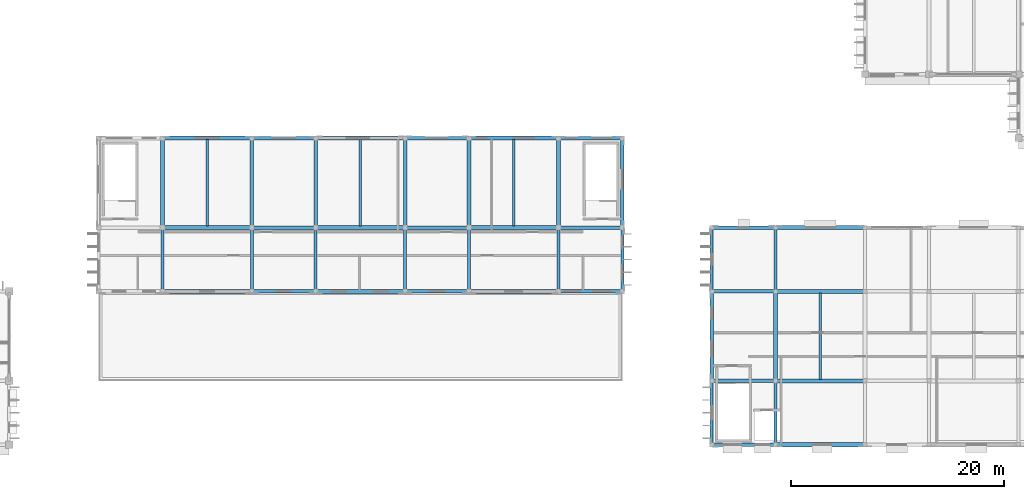
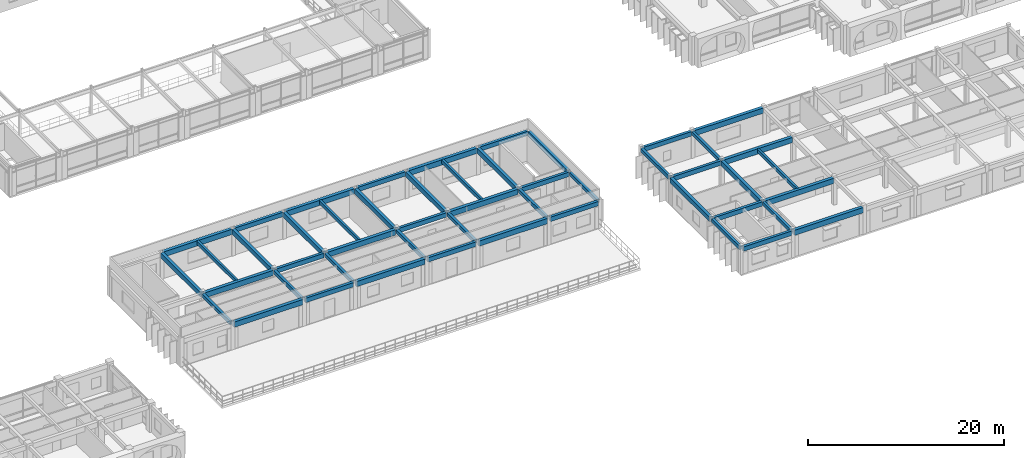
# One storey, part 19 of 88: 50 beams.
"""IFC4 building model written with IfcOpenShell, lengths in metres."""

from ifc_helpers import new_model, si_unit, direction, frame, origin, origin_2d, place, context, subcontext, project, spatial, rectangle, extrude, material, material_profile, profile_set, type_object, element, save


model = new_model("IFC4")

# Units and contexts
model_context = context("Model", 3, precision=1e-05, world=origin(), true_north=direction((0.0, 1.0)))
body_context = subcontext(model_context, "Body", "Model", "MODEL_VIEW")
ifc_project = project(units=[si_unit("LENGTHUNIT", "METRE"), si_unit("AREAUNIT", "SQUARE_METRE"), si_unit("VOLUMEUNIT", "CUBIC_METRE"), si_unit("PLANEANGLEUNIT", "RADIAN"), si_unit("MASSUNIT", "GRAM", prefix="KILO"), si_unit("THERMODYNAMICTEMPERATUREUNIT", "KELVIN")], contexts=[model_context])

# Site, building, storey
site_placement = place(None, origin())
site = spatial("IfcSite", under=ifc_project, at=site_placement, CompositionType="ELEMENT")
building_placement = place(site_placement, origin())
building = spatial("IfcBuilding", under=site, at=building_placement, Name="Thalorik Housing Commons", CompositionType="ELEMENT")
storey_placement = place(building_placement, frame((0.0, 0.0, 4.5)))
storey = spatial("IfcBuildingStorey", under=building, at=storey_placement, Name="L01", CompositionType="ELEMENT", Elevation=4.5)

# Beams
ifc_material = material(Name="Precast concrete C40/50", Category="concrete")
ifc_material_profile_1 = material_profile(ifc_material, rectangle(XDim=0.280029296875, YDim=0.449951171875, at=origin_2d()), Name="PC 280x450", Category="concrete")
ifc_profile_set_1 = profile_set([ifc_material_profile_1], Name="Precast concrete C40/50")
beam_type_1 = type_object("IfcBeamType", Name="STR-BM-PC280x450", PredefinedType="BEAM", material=ifc_profile_set_1)
for number, where, z_axis, x_axis, name in (
    (1, (72.0, 22.97509765625, 3.114990234375), (0.0, 1.0, 0.0), (-1.0, 0.0, 0.0), "L01 Beam B-450"),
    (2, (80.39990234375, 22.97509765625, 3.114990234375), (0.0, 1.0, 0.0), (-1.0, 0.0, 0.0), "L01 Beam B-450"),
    (3, (86.39990234375, 22.97509765625, 3.114990234375), (0.0, 1.0, 0.0), (-1.0, 0.0, 0.0), "L01 Beam B-450"),
    (4, (94.800048828125, 22.97509765625, 3.114990234375), (0.0, 1.0, 0.0), (-1.0, 0.0, 0.0), "L01 Beam B-450"),
    (5, (100.800048828125, 22.97509765625, 3.114990234375), (0.0, 1.0, 0.0), (-1.0, 0.0, 0.0), "L01 Beam B-450"),
    (6, (109.199951171875, 22.97509765625, 3.114990234375), (0.0, 1.0, 0.0), (-1.0, 0.0, 0.0), "L01 Beam B-450"),
    (7, (115.199951171875, 22.97509765625, 3.114990234375), (0.0, 1.0, 0.0), (-1.0, 0.0, 0.0), "L01 Beam B-450"),
):
    element("IfcBeam", number, at=place(storey_placement, frame(where, z_axis=z_axis, x_axis=x_axis)), inside=storey, type_object=beam_type_1, Name=name, PredefinedType="BEAM", context=body_context, shape_type="SweptSolid", body=[
        extrude(rectangle(XDim=0.280029296875, YDim=0.449951171875, at=origin_2d()), origin(), (0.0, 0.0, 1.0), 5.64990234375),
    ])
for number, where, z_axis, x_axis, name in (
    (8, (123.60009765625, 8.550048828125, 3.114990234375), (0.0, 1.0, 0.0), (-1.0, 0.0, 0.0), "L01 Beam B-450"),
    (9, (123.60009765625, 22.949951171875, 3.114990234375), (0.0, 1.0, 0.0), (-1.0, 0.0, 0.0), "L01 Beam B-450"),
    (10, (129.60009765625, 8.550048828125, 3.114990234375), (0.0, 1.0, 0.0), (-1.0, 0.0, 0.0), "L01 Beam B-450"),
    (11, (129.60009765625, 22.949951171875, 3.114990234375), (0.0, 1.0, 0.0), (-1.0, 0.0, 0.0), "L01 Beam B-450"),
):
    element("IfcBeam", number, at=place(storey_placement, frame(where, z_axis=z_axis, x_axis=x_axis)), inside=storey, type_object=beam_type_1, Name=name, PredefinedType="BEAM", context=body_context, shape_type="SweptSolid", body=[
        extrude(rectangle(XDim=0.280029296875, YDim=0.449951171875, at=origin_2d()), origin(), (0.0, 0.0, 1.0), 5.699951171875),
    ])
ifc_material_profile_2 = material_profile(ifc_material, rectangle(XDim=0.320068359375, YDim=0.550048828125, at=origin_2d()), Name="PC 320x550", Category="concrete")
ifc_profile_set_2 = profile_set([ifc_material_profile_2], Name="Precast concrete C40/50")
beam_type_2 = type_object("IfcBeamType", Name="STR-BM-PC320x550", PredefinedType="BEAM", material=ifc_profile_set_2)
for number, where, z_axis, x_axis, name in (
    (12, (123.75, 8.39990234375, 3.06494140625), (1.0, 0.0, 0.0), (0.0, 1.0, 0.0), "L01 Beam B-550"),
    (13, (123.75, 14.39990234375, 3.06494140625), (1.0, 0.0, 0.0), (0.0, 1.0, 0.0), "L01 Beam B-550"),
):
    element("IfcBeam", number, at=place(storey_placement, frame(where, z_axis=z_axis, x_axis=x_axis)), inside=storey, type_object=beam_type_2, Name=name, PredefinedType="BEAM", context=body_context, shape_type="SweptSolid", body=[
        extrude(rectangle(XDim=0.320068359375, YDim=0.550048828125, at=origin_2d()), origin(), (0.0, 0.0, 1.0), 5.699951171875),
    ])
beam_1_placement = place(storey_placement, frame((80.574951171875, 22.800048828125, 3.06494140625), z_axis=(1.0, 0.0, 0.0), x_axis=(0.0, 1.0, 0.0)))
element("IfcBeam", 14, at=beam_1_placement, inside=storey, type_object=beam_type_2, Name="L01 Beam B-550", PredefinedType="BEAM", context=body_context, shape_type="SweptSolid", body=[
    extrude(rectangle(XDim=0.320068359375, YDim=0.550048828125, at=origin_2d()), origin(), (0.0, 0.0, 1.0), 5.650146484375),
])
for number, where, z_axis, x_axis, name in (
    (15, (94.97509765625, 22.800048828125, 3.06494140625), (1.0, 0.0, 0.0), (0.0, 1.0, 0.0), "L01 Beam B-550"),
    (16, (109.375, 22.800048828125, 3.06494140625), (1.0, 0.0, 0.0), (0.0, 1.0, 0.0), "L01 Beam B-550"),
):
    element("IfcBeam", number, at=place(storey_placement, frame(where, z_axis=z_axis, x_axis=x_axis)), inside=storey, type_object=beam_type_2, Name=name, PredefinedType="BEAM", context=body_context, shape_type="SweptSolid", body=[
        extrude(rectangle(XDim=0.320068359375, YDim=0.550048828125, at=origin_2d()), origin(), (0.0, 0.0, 1.0), 5.64990234375),
    ])
beam_2_placement = place(storey_placement, frame((123.75, 22.800048828125, 3.06494140625), z_axis=(1.0, 0.0, 0.0), x_axis=(0.0, 1.0, 0.0)))
element("IfcBeam", 17, at=beam_2_placement, inside=storey, type_object=beam_type_2, Name="L01 Beam B-550", PredefinedType="BEAM", context=body_context, shape_type="SweptSolid", body=[
    extrude(rectangle(XDim=0.320068359375, YDim=0.550048828125, at=origin_2d()), origin(), (0.0, 0.0, 1.0), 5.699951171875),
])
beam_3_placement = place(storey_placement, frame((80.574951171875, 28.800048828125, 3.06494140625), z_axis=(1.0, 0.0, 0.0), x_axis=(0.0, 1.0, 0.0)))
element("IfcBeam", 18, at=beam_3_placement, inside=storey, type_object=beam_type_2, Name="L01 Beam B-550", PredefinedType="BEAM", context=body_context, shape_type="SweptSolid", body=[
    extrude(rectangle(XDim=0.320068359375, YDim=0.550048828125, at=origin_2d()), origin(), (0.0, 0.0, 1.0), 5.650146484375),
])
for number, where, z_axis, x_axis, name in (
    (19, (94.97509765625, 28.800048828125, 3.06494140625), (1.0, 0.0, 0.0), (0.0, 1.0, 0.0), "L01 Beam B-550"),
    (20, (109.375, 28.800048828125, 3.06494140625), (1.0, 0.0, 0.0), (0.0, 1.0, 0.0), "L01 Beam B-550"),
):
    element("IfcBeam", number, at=place(storey_placement, frame(where, z_axis=z_axis, x_axis=x_axis)), inside=storey, type_object=beam_type_2, Name=name, PredefinedType="BEAM", context=body_context, shape_type="SweptSolid", body=[
        extrude(rectangle(XDim=0.320068359375, YDim=0.550048828125, at=origin_2d()), origin(), (0.0, 0.0, 1.0), 5.64990234375),
    ])
beam_4_placement = place(storey_placement, frame((123.75, 28.800048828125, 3.06494140625), z_axis=(1.0, 0.0, 0.0), x_axis=(0.0, 1.0, 0.0)))
element("IfcBeam", 21, at=beam_4_placement, inside=storey, type_object=beam_type_2, Name="L01 Beam B-550", PredefinedType="BEAM", context=body_context, shape_type="SweptSolid", body=[
    extrude(rectangle(XDim=0.320068359375, YDim=0.550048828125, at=origin_2d()), origin(), (0.0, 0.0, 1.0), 5.699951171875),
])
beam_5_placement = place(storey_placement, frame((80.574951171875, 37.199951171875, 3.06494140625), z_axis=(1.0, 0.0, 0.0), x_axis=(0.0, 1.0, 0.0)))
element("IfcBeam", 22, at=beam_5_placement, inside=storey, type_object=beam_type_2, Name="L01 Beam B-550", PredefinedType="BEAM", context=body_context, shape_type="SweptSolid", body=[
    extrude(rectangle(XDim=0.320068359375, YDim=0.550048828125, at=origin_2d()), origin(), (0.0, 0.0, 1.0), 5.650146484375),
])
for number, where, z_axis, x_axis, name in (
    (23, (94.97509765625, 37.199951171875, 3.06494140625), (1.0, 0.0, 0.0), (0.0, 1.0, 0.0), "L01 Beam B-550"),
    (24, (109.375, 37.199951171875, 3.06494140625), (1.0, 0.0, 0.0), (0.0, 1.0, 0.0), "L01 Beam B-550"),
):
    element("IfcBeam", number, at=place(storey_placement, frame(where, z_axis=z_axis, x_axis=x_axis)), inside=storey, type_object=beam_type_2, Name=name, PredefinedType="BEAM", context=body_context, shape_type="SweptSolid", body=[
        extrude(rectangle(XDim=0.320068359375, YDim=0.550048828125, at=origin_2d()), origin(), (0.0, 0.0, 1.0), 5.64990234375),
    ])
ifc_material_profile_3 = material_profile(ifc_material, rectangle(XDim=0.35009765625, YDim=0.60009765625, at=origin_2d()), Name="PC 350x600", Category="concrete")
ifc_profile_set_3 = profile_set([ifc_material_profile_3], Name="Precast concrete C40/50")
beam_type_3 = type_object("IfcBeamType", Name="STR-BM-PC350x600", PredefinedType="BEAM", material=ifc_profile_set_3)
for number, where, z_axis, x_axis, name in (
    (25, (72.0, 28.97509765625, 3.0400390625), (0.0, 1.0, 0.0), (-1.0, 0.0, 0.0), "L01 Beam B-600"),
    (26, (80.39990234375, 28.97509765625, 3.0400390625), (0.0, 1.0, 0.0), (-1.0, 0.0, 0.0), "L01 Beam B-600"),
    (27, (86.39990234375, 28.97509765625, 3.0400390625), (0.0, 1.0, 0.0), (-1.0, 0.0, 0.0), "L01 Beam B-600"),
    (28, (94.800048828125, 28.97509765625, 3.0400390625), (0.0, 1.0, 0.0), (-1.0, 0.0, 0.0), "L01 Beam B-600"),
    (29, (100.800048828125, 28.97509765625, 3.0400390625), (0.0, 1.0, 0.0), (-1.0, 0.0, 0.0), "L01 Beam B-600"),
    (30, (109.199951171875, 28.97509765625, 3.0400390625), (0.0, 1.0, 0.0), (-1.0, 0.0, 0.0), "L01 Beam B-600"),
    (31, (115.199951171875, 28.97509765625, 3.0400390625), (0.0, 1.0, 0.0), (-1.0, 0.0, 0.0), "L01 Beam B-600"),
):
    element("IfcBeam", number, at=place(storey_placement, frame(where, z_axis=z_axis, x_axis=x_axis)), inside=storey, type_object=beam_type_3, Name=name, PredefinedType="BEAM", context=body_context, shape_type="SweptSolid", body=[
        extrude(rectangle(XDim=0.35009765625, YDim=0.60009765625, at=origin_2d()), origin(), (0.0, 0.0, 1.0), 8.0498046875),
    ])
for number, where, z_axis, x_axis, name in (
    (32, (123.60009765625, 14.550048828125, 3.0400390625), (0.0, 1.0, 0.0), (-1.0, 0.0, 0.0), "L01 Beam B-600"),
    (33, (129.60009765625, 14.550048828125, 3.0400390625), (0.0, 1.0, 0.0), (-1.0, 0.0, 0.0), "L01 Beam B-600"),
):
    element("IfcBeam", number, at=place(storey_placement, frame(where, z_axis=z_axis, x_axis=x_axis)), inside=storey, type_object=beam_type_3, Name=name, PredefinedType="BEAM", context=body_context, shape_type="SweptSolid", body=[
        extrude(rectangle(XDim=0.35009765625, YDim=0.60009765625, at=origin_2d()), origin(), (0.0, 0.0, 1.0), 8.099853515625),
    ])
ifc_material_profile_4 = material_profile(ifc_material, rectangle(XDim=0.3798828125, YDim=0.64990234375, at=origin_2d()), Name="PC 380x650", Category="concrete")
ifc_profile_set_4 = profile_set([ifc_material_profile_4], Name="Precast concrete C40/50")
beam_type_4 = type_object("IfcBeamType", Name="STR-BM-PC380x650", PredefinedType="BEAM", material=ifc_profile_set_4)
for number, where, z_axis, x_axis, name in (
    (34, (129.75, 8.39990234375, 3.014892578125), (1.0, 0.0, 0.0), (0.0, 1.0, 0.0), "L01 Beam B-650"),
    (35, (129.75, 14.39990234375, 3.014892578125), (1.0, 0.0, 0.0), (0.0, 1.0, 0.0), "L01 Beam B-650"),
):
    element("IfcBeam", number, at=place(storey_placement, frame(where, z_axis=z_axis, x_axis=x_axis)), inside=storey, type_object=beam_type_4, Name=name, PredefinedType="BEAM", context=body_context, shape_type="SweptSolid", body=[
        extrude(rectangle(XDim=0.3798828125, YDim=0.64990234375, at=origin_2d()), origin(), (0.0, 0.0, 1.0), 8.10009765625),
    ])
for number, where, z_axis, x_axis, name in (
    (36, (72.175048828125, 22.800048828125, 3.014892578125), (1.0, 0.0, 0.0), (0.0, 1.0, 0.0), "L01 Beam B-650"),
    (37, (86.574951171875, 22.800048828125, 3.014892578125), (1.0, 0.0, 0.0), (0.0, 1.0, 0.0), "L01 Beam B-650"),
):
    element("IfcBeam", number, at=place(storey_placement, frame(where, z_axis=z_axis, x_axis=x_axis)), inside=storey, type_object=beam_type_4, Name=name, PredefinedType="BEAM", context=body_context, shape_type="SweptSolid", body=[
        extrude(rectangle(XDim=0.3798828125, YDim=0.64990234375, at=origin_2d()), origin(), (0.0, 0.0, 1.0), 8.050048828125),
    ])
beam_6_placement = place(storey_placement, frame((100.97509765625, 22.800048828125, 3.014892578125), z_axis=(1.0, 0.0, 0.0), x_axis=(0.0, 1.0, 0.0)))
element("IfcBeam", 38, at=beam_6_placement, inside=storey, type_object=beam_type_4, Name="L01 Beam B-650", PredefinedType="BEAM", context=body_context, shape_type="SweptSolid", body=[
    extrude(rectangle(XDim=0.3798828125, YDim=0.64990234375, at=origin_2d()), origin(), (0.0, 0.0, 1.0), 8.0498046875),
])
beam_7_placement = place(storey_placement, frame((129.75, 22.800048828125, 3.014892578125), z_axis=(1.0, 0.0, 0.0), x_axis=(0.0, 1.0, 0.0)))
element("IfcBeam", 39, at=beam_7_placement, inside=storey, type_object=beam_type_4, Name="L01 Beam B-650", PredefinedType="BEAM", context=body_context, shape_type="SweptSolid", body=[
    extrude(rectangle(XDim=0.3798828125, YDim=0.64990234375, at=origin_2d()), origin(), (0.0, 0.0, 1.0), 8.10009765625),
])
for number, where, z_axis, x_axis, name in (
    (40, (72.175048828125, 28.800048828125, 3.014892578125), (1.0, 0.0, 0.0), (0.0, 1.0, 0.0), "L01 Beam B-650"),
    (41, (86.574951171875, 28.800048828125, 3.014892578125), (1.0, 0.0, 0.0), (0.0, 1.0, 0.0), "L01 Beam B-650"),
):
    element("IfcBeam", number, at=place(storey_placement, frame(where, z_axis=z_axis, x_axis=x_axis)), inside=storey, type_object=beam_type_4, Name=name, PredefinedType="BEAM", context=body_context, shape_type="SweptSolid", body=[
        extrude(rectangle(XDim=0.3798828125, YDim=0.64990234375, at=origin_2d()), origin(), (0.0, 0.0, 1.0), 8.050048828125),
    ])
beam_8_placement = place(storey_placement, frame((100.97509765625, 28.800048828125, 3.014892578125), z_axis=(1.0, 0.0, 0.0), x_axis=(0.0, 1.0, 0.0)))
element("IfcBeam", 42, at=beam_8_placement, inside=storey, type_object=beam_type_4, Name="L01 Beam B-650", PredefinedType="BEAM", context=body_context, shape_type="SweptSolid", body=[
    extrude(rectangle(XDim=0.3798828125, YDim=0.64990234375, at=origin_2d()), origin(), (0.0, 0.0, 1.0), 8.0498046875),
])
beam_9_placement = place(storey_placement, frame((129.75, 28.800048828125, 3.014892578125), z_axis=(1.0, 0.0, 0.0), x_axis=(0.0, 1.0, 0.0)))
element("IfcBeam", 43, at=beam_9_placement, inside=storey, type_object=beam_type_4, Name="L01 Beam B-650", PredefinedType="BEAM", context=body_context, shape_type="SweptSolid", body=[
    extrude(rectangle(XDim=0.3798828125, YDim=0.64990234375, at=origin_2d()), origin(), (0.0, 0.0, 1.0), 8.10009765625),
])
for number, where, z_axis, x_axis, name in (
    (44, (72.175048828125, 37.199951171875, 3.014892578125), (1.0, 0.0, 0.0), (0.0, 1.0, 0.0), "L01 Beam B-650"),
    (45, (86.574951171875, 37.199951171875, 3.014892578125), (1.0, 0.0, 0.0), (0.0, 1.0, 0.0), "L01 Beam B-650"),
):
    element("IfcBeam", number, at=place(storey_placement, frame(where, z_axis=z_axis, x_axis=x_axis)), inside=storey, type_object=beam_type_4, Name=name, PredefinedType="BEAM", context=body_context, shape_type="SweptSolid", body=[
        extrude(rectangle(XDim=0.3798828125, YDim=0.64990234375, at=origin_2d()), origin(), (0.0, 0.0, 1.0), 8.050048828125),
    ])
beam_10_placement = place(storey_placement, frame((100.97509765625, 37.199951171875, 3.014892578125), z_axis=(1.0, 0.0, 0.0), x_axis=(0.0, 1.0, 0.0)))
element("IfcBeam", 46, at=beam_10_placement, inside=storey, type_object=beam_type_4, Name="L01 Beam B-650", PredefinedType="BEAM", context=body_context, shape_type="SweptSolid", body=[
    extrude(rectangle(XDim=0.3798828125, YDim=0.64990234375, at=origin_2d()), origin(), (0.0, 0.0, 1.0), 8.0498046875),
])
ifc_material_profile_5 = material_profile(ifc_material, rectangle(XDim=0.239990234375, YDim=0.43994140625, at=origin_2d()), Name="PC JST 240x440", Category="concrete")
ifc_profile_set_5 = profile_set([ifc_material_profile_5], Name="Precast concrete C40/50")
beam_type_5 = type_object("IfcBeamType", Name="STR-JST-PC240x440", PredefinedType="JOIST", material=ifc_profile_set_5)
beam_11_placement = place(storey_placement, frame((133.800048828125, 14.5400390625, 3.1201171875), z_axis=(0.0, 1.0, 0.0), x_axis=(-1.0, 0.0, 0.0)))
element("IfcBeam", 47, at=beam_11_placement, inside=storey, type_object=beam_type_5, Name="L01 Beam J-440", PredefinedType="JOIST", context=body_context, shape_type="SweptSolid", body=[
    extrude(rectangle(XDim=0.239990234375, YDim=0.43994140625, at=origin_2d()), origin(), (0.0, 0.0, 1.0), 8.119873046875),
])
for number, where, z_axis, x_axis, name in (
    (48, (76.199951171875, 28.93994140625, 3.1201171875), (0.0, 1.0, 0.0), (-1.0, 0.0, 0.0), "L01 Beam J-440"),
    (49, (90.60009765625, 28.93994140625, 3.1201171875), (0.0, 1.0, 0.0), (-1.0, 0.0, 0.0), "L01 Beam J-440"),
    (50, (105.0, 28.93994140625, 3.1201171875), (0.0, 1.0, 0.0), (-1.0, 0.0, 0.0), "L01 Beam J-440"),
):
    element("IfcBeam", number, at=place(storey_placement, frame(where, z_axis=z_axis, x_axis=x_axis)), inside=storey, type_object=beam_type_5, Name=name, PredefinedType="JOIST", context=body_context, shape_type="SweptSolid", body=[
        extrude(rectangle(XDim=0.239990234375, YDim=0.43994140625, at=origin_2d()), origin(), (0.0, 0.0, 1.0), 8.1201171875),
    ])

save(model, "model.ifc")
